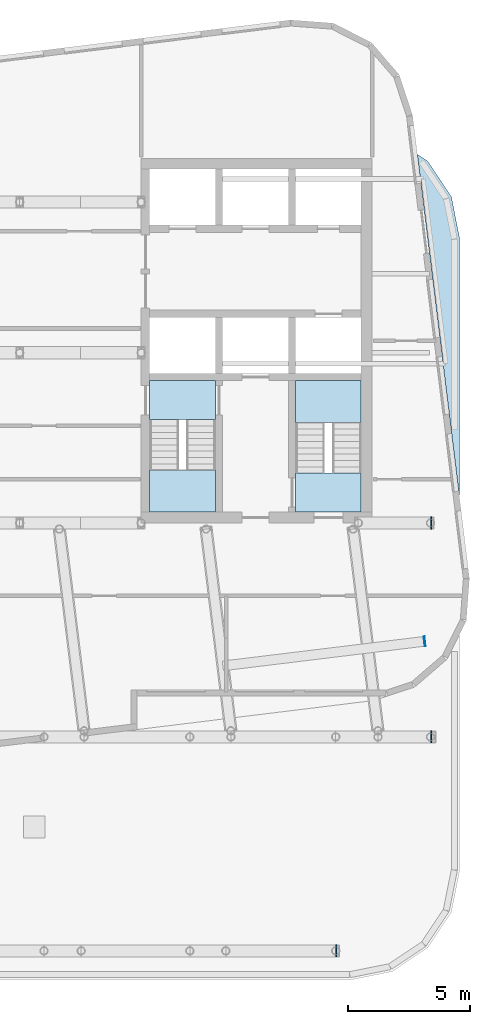
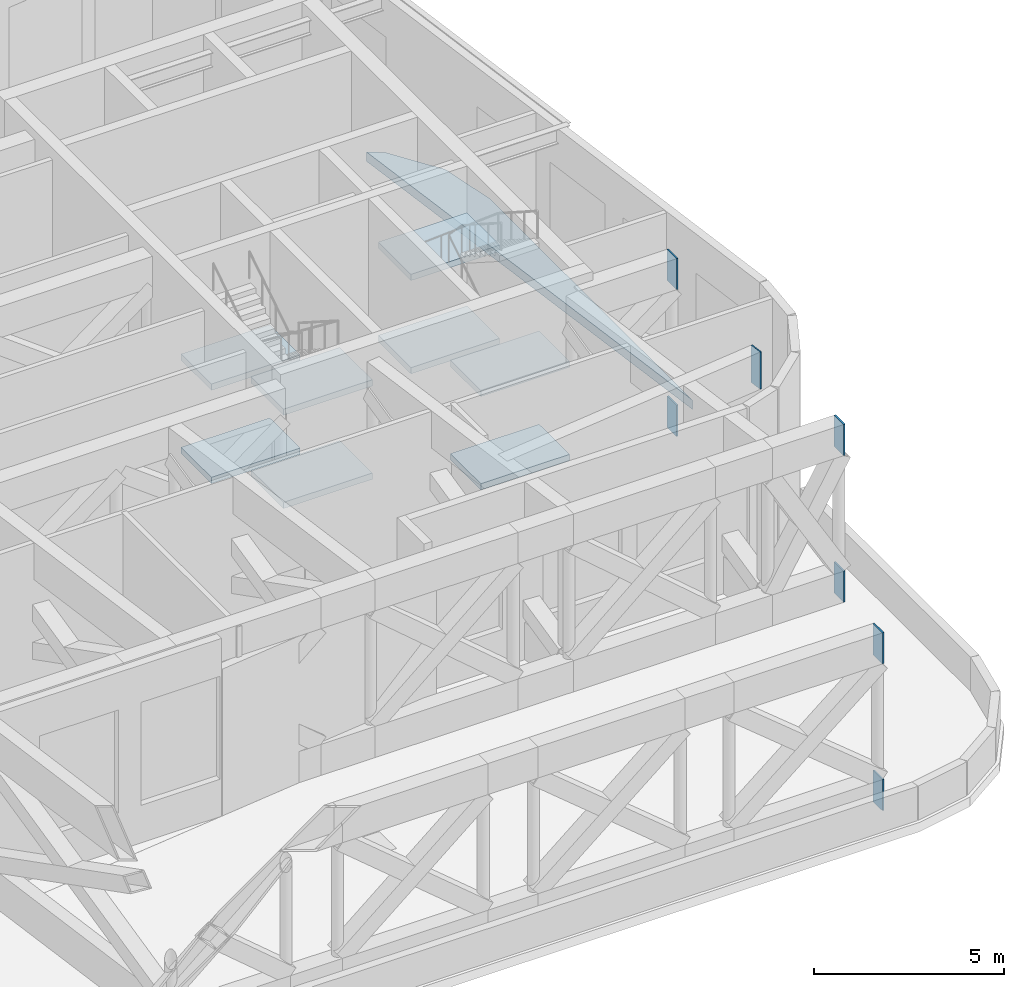
# One storey, part 8 of 16: 9 slabs, 7 plates, 2 elements without a shape of their own.
"""IFC4 building model written with IfcOpenShell, lengths in metres."""

from ifc_helpers import new_model, si_unit, direction, frame, origin, origin_2d, place, context, subcontext, project, spatial, polyline, rectangle, outline, extrude, material, layer, layer_set, type_object, element, aggregate, save


model = new_model("IFC4")

# Units and contexts
model_context = context("Model", 3, precision=1e-05, world=origin(), true_north=direction((0.0, 1.0)))
body_context = subcontext(model_context, "Body", "Model", "MODEL_VIEW")
ifc_project = project(units=[si_unit("LENGTHUNIT", "METRE"), si_unit("AREAUNIT", "SQUARE_METRE"), si_unit("VOLUMEUNIT", "CUBIC_METRE"), si_unit("PLANEANGLEUNIT", "RADIAN"), si_unit("MASSUNIT", "GRAM", prefix="KILO")], contexts=[model_context])

# Site, building, storey
site_placement = place(None, origin())
site = spatial("IfcSite", under=ifc_project, at=site_placement, CompositionType="ELEMENT")
building_placement = place(site_placement, origin())
building = spatial("IfcBuilding", under=site, at=building_placement, Name="Torana Hotel and Residences", CompositionType="ELEMENT")
storey_placement = place(building_placement, frame((0.0, 0.0, 308.60009765625)))
storey = spatial("IfcBuildingStorey", under=building, at=storey_placement, Name="L82", CompositionType="ELEMENT", Elevation=308.60009765625)

# Stair, slabs
ifc_material_1 = material(Name="Concrete C40/50 precast", Category="concrete")
stair_type_1 = type_object("IfcStairType", Name="STAIR ST3 HALF TURN 1200", PredefinedType="HALF_TURN_STAIR", material=ifc_material_1)
stair_1_placement = place(storey_placement, origin())
stair_1 = element("IfcStair", 1, at=stair_1_placement, inside=storey, type_object=stair_type_1, Name="Stair ST3 L82", PredefinedType="HALF_TURN_STAIR")
ifc_material_2 = material(Name="Concrete C40/50 precast", Category="concrete")
ifc_layer_1 = layer(ifc_material_2, 0.199951171875)
ifc_layer_set_1 = layer_set([ifc_layer_1], Name="STAIR LANDING 200")
slab_type_1 = type_object("IfcSlabType", Name="STAIR LANDING 200", PredefinedType="LANDING", material=ifc_layer_set_1)
slab_1_placement = place(storey_placement, frame((0.0, 0.0, 1.2998046875)))
slab_1 = element("IfcSlab", 2, at=slab_1_placement, type_object=slab_type_1, Name="ST3 landing 1", PredefinedType="LANDING", context=body_context, shape_type="SweptSolid", body=[
    extrude(outline(polyline([(10.35009765625, -14.550048828125), (13.050048828125, -14.550048828125), (13.050048828125, -12.830078125), (10.35009765625, -12.830078125), (10.35009765625, -14.550048828125)])), origin(), (0.0, 0.0, 1.0), 0.2001953125),
])
slab_2_placement = place(storey_placement, frame((0.0, 0.0, -0.2001953125)))
slab_2 = element("IfcSlab", 3, at=slab_2_placement, type_object=slab_type_1, Name="ST3 landing 2", PredefinedType="LANDING", context=body_context, shape_type="SweptSolid", body=[
    extrude(outline(polyline([(10.35009765625, -10.75), (13.050048828125, -10.75), (13.050048828125, -9.14990234375), (10.35009765625, -9.14990234375), (10.35009765625, -10.75)])), origin(), (0.0, 0.0, 1.0), 0.2001953125),
])
slab_3_placement = place(storey_placement, frame((0.0, 0.0, 4.2998046875)))
slab_3 = element("IfcSlab", 4, at=slab_3_placement, type_object=slab_type_1, Name="ST3 landing 3", PredefinedType="LANDING", context=body_context, shape_type="SweptSolid", body=[
    extrude(outline(polyline([(10.35009765625, -14.550048828125), (13.050048828125, -14.550048828125), (13.050048828125, -12.830078125), (10.35009765625, -12.830078125), (10.35009765625, -14.550048828125)])), origin(), (0.0, 0.0, 1.0), 0.2001953125),
])
slab_4_placement = place(storey_placement, frame((0.0, 0.0, 2.7998046875)))
slab_4 = element("IfcSlab", 5, at=slab_4_placement, type_object=slab_type_1, Name="ST3 landing 4", PredefinedType="LANDING", context=body_context, shape_type="SweptSolid", body=[
    extrude(outline(polyline([(10.35009765625, -10.75), (13.050048828125, -10.75), (13.050048828125, -9.14990234375), (10.35009765625, -9.14990234375), (10.35009765625, -10.75)])), origin(), (0.0, 0.0, 1.0), 0.2001953125),
])
aggregate(stair_1, [slab_1, slab_2, slab_3, slab_4])

ifc_material_3 = material(Name="Concrete C40/50 precast", Category="concrete")
stair_type_2 = type_object("IfcStairType", Name="STAIR ST4 HALF TURN 1200", PredefinedType="HALF_TURN_STAIR", material=ifc_material_3)
stair_2_placement = place(storey_placement, origin())
stair_2 = element("IfcStair", 6, at=stair_2_placement, inside=storey, type_object=stair_type_2, Name="Stair ST4 L82", PredefinedType="HALF_TURN_STAIR")
slab_5_placement = place(storey_placement, frame((0.0, 0.0, 1.2998046875)))
slab_5 = element("IfcSlab", 7, at=slab_5_placement, type_object=slab_type_1, Name="ST4 landing 1", PredefinedType="LANDING", context=body_context, shape_type="SweptSolid", body=[
    extrude(outline(polyline([(16.35009765625, -10.8701171875), (19.050048828125, -10.8701171875), (19.050048828125, -9.14990234375), (16.35009765625, -9.14990234375), (16.35009765625, -10.8701171875)])), origin(), (0.0, 0.0, 1.0), 0.2001953125),
])
slab_6_placement = place(storey_placement, frame((0.0, 0.0, -0.2001953125)))
slab_6 = element("IfcSlab", 8, at=slab_6_placement, type_object=slab_type_1, Name="ST4 landing 2", PredefinedType="LANDING", context=body_context, shape_type="SweptSolid", body=[
    extrude(outline(polyline([(16.35009765625, -14.550048828125), (19.050048828125, -14.550048828125), (19.050048828125, -12.949951171875), (16.35009765625, -12.949951171875), (16.35009765625, -14.550048828125)])), origin(), (0.0, 0.0, 1.0), 0.2001953125),
])
slab_7_placement = place(storey_placement, frame((0.0, 0.0, 4.2998046875)))
slab_7 = element("IfcSlab", 9, at=slab_7_placement, type_object=slab_type_1, Name="ST4 landing 3", PredefinedType="LANDING", context=body_context, shape_type="SweptSolid", body=[
    extrude(outline(polyline([(16.35009765625, -10.8701171875), (19.050048828125, -10.8701171875), (19.050048828125, -9.14990234375), (16.35009765625, -9.14990234375), (16.35009765625, -10.8701171875)])), origin(), (0.0, 0.0, 1.0), 0.2001953125),
])
slab_8_placement = place(storey_placement, frame((0.0, 0.0, 2.7998046875)))
slab_8 = element("IfcSlab", 10, at=slab_8_placement, type_object=slab_type_1, Name="ST4 landing 4", PredefinedType="LANDING", context=body_context, shape_type="SweptSolid", body=[
    extrude(outline(polyline([(16.35009765625, -14.550048828125), (19.050048828125, -14.550048828125), (19.050048828125, -12.949951171875), (16.35009765625, -12.949951171875), (16.35009765625, -14.550048828125)])), origin(), (0.0, 0.0, 1.0), 0.2001953125),
])
aggregate(stair_2, [slab_5, slab_6, slab_7, slab_8])

# Plates
ifc_material_4 = material(Name="Steel S355", Category="steel")
ifc_layer_2 = layer(ifc_material_4, 0.0400390625)
ifc_layer_set_2 = layer_set([ifc_layer_2], Name="STEEL END PLATE 40")
plate_type_1 = type_object("IfcPlateType", Name="STEEL END PLATE 40", PredefinedType="SHEET", material=ifc_layer_set_2)
plate_placement = place(storey_placement, frame((21.659912109375, -19.86767578125, 4.52001953125), z_axis=(0.0, 0.0, 1.0), x_axis=(0.992642406806, 0.121082832025, 0.0)))
element("IfcPlate", 11, at=plate_placement, inside=storey, type_object=plate_type_1, Name="End plate L82", PredefinedType="SHEET", context=body_context, shape_type="SweptSolid", body=[
    extrude(rectangle(XDim=0.0400390625, YDim=0.39990234375, at=origin_2d()), origin(), (0.0, 0.0, 1.0), 1.199951171875),
])
ifc_material_5 = material(Name="Steel S355", Category="steel")
ifc_layer_3 = layer(ifc_material_5, 0.050048828125)
ifc_layer_set_3 = layer_set([ifc_layer_3], Name="STEEL END PLATE 50")
plate_type_2 = type_object("IfcPlateType", Name="STEEL END PLATE 50", PredefinedType="SHEET", material=ifc_layer_set_3)
for number, where, z_axis, x_axis, name in (
    (12, (18.02490234375, -32.60009765625, 0.0), (0.0, 0.0, 1.0), (1.0, 0.0, 0.0), "End plate L82"),
    (13, (18.02490234375, -32.60009765625, 4.719970703125), (0.0, 0.0, 1.0), (1.0, 0.0, 0.0), "End plate L82"),
    (14, (21.925048828125, -23.800048828125, 0.0), (0.0, 0.0, 1.0), (1.0, 0.0, 0.0), "End plate L82"),
    (15, (21.925048828125, -23.800048828125, 4.719970703125), (0.0, 0.0, 1.0), (1.0, 0.0, 0.0), "End plate L82"),
    (16, (21.925048828125, -15.0, 0.0), (0.0, 0.0, 1.0), (1.0, 0.0, 0.0), "End plate L82"),
    (17, (21.925048828125, -15.0, 4.719970703125), (0.0, 0.0, 1.0), (1.0, 0.0, 0.0), "End plate L82"),
):
    element("IfcPlate", number, at=place(storey_placement, frame(where, z_axis=z_axis, x_axis=x_axis)), inside=storey, type_object=plate_type_2, Name=name, PredefinedType="SHEET", context=body_context, shape_type="SweptSolid", body=[
        extrude(rectangle(XDim=0.050048828125, YDim=0.5, at=origin_2d()), origin(), (0.0, 0.0, 1.0), 1.0),
    ])

# Slab
ifc_material_6 = material(Name="Concrete C40/50", Category="concrete")
ifc_layer_4 = layer(ifc_material_6, 0.300048828125)
ifc_layer_set_4 = layer_set([ifc_layer_4], Name="TR1 TERRACE SLAB 300")
slab_type_2 = type_object("IfcSlabType", Name="TR1 TERRACE SLAB 300", PredefinedType="USERDEFINED", material=ifc_layer_set_4)
slab_9_placement = place(storey_placement, frame((0.0, 0.0, -0.300048828125)))
element("IfcSlab", 18, at=slab_9_placement, inside=storey, type_object=slab_type_2, Name="Terrace L82 1", ObjectType="TERRACE", PredefinedType="USERDEFINED", context=body_context, shape_type="SweptSolid", body=[
    extrude(outline(polyline([(21.781982421875, -0.117919921875), (22.757568359375, -1.577880859375), (23.10009765625, -3.300048828125), (23.10009765625, -14.00244140625), (21.360595703125, 0.16357421875), (21.781982421875, -0.117919921875)])), origin(), (0.0, 0.0, 1.0), 0.300048828125),
])

save(model, "model.ifc")
